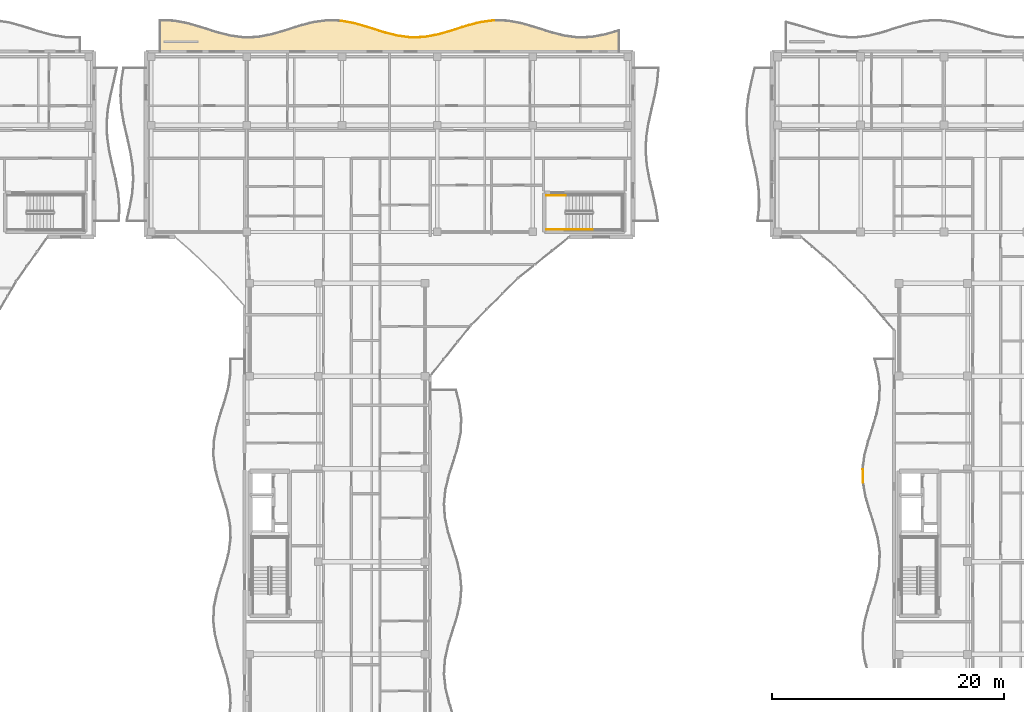
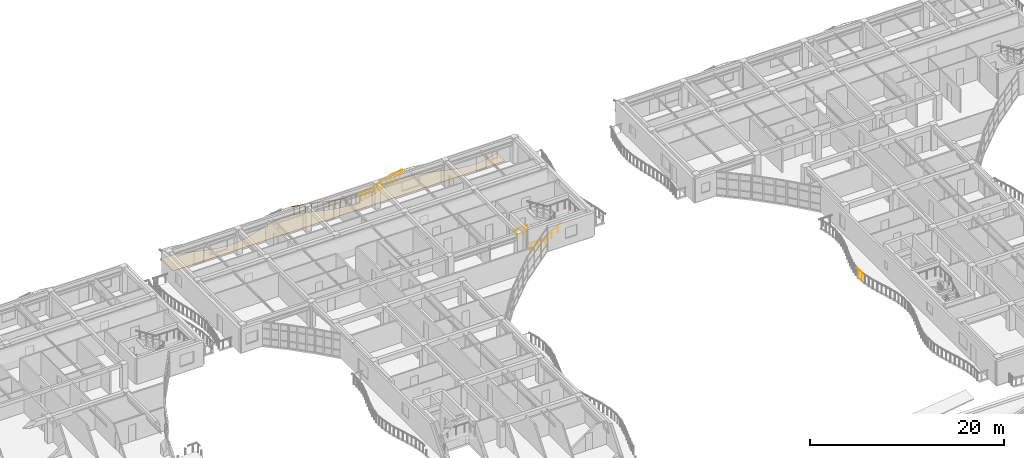
# One storey, part 116 of 128: 15 railings, 1 covering.
"""IFC4 building model written with IfcOpenShell, lengths in metres."""

from ifc_helpers import new_model, si_unit, direction, frame, origin, origin_2d, place, context, subcontext, project, spatial, polyline, circle, outline, extrude, material, layer, layer_set, type_object, element, save


model = new_model("IFC4")

# Units and contexts
model_context = context("Model", 3, precision=1e-05, world=origin(), true_north=direction((0.0, 1.0)))
body_context = subcontext(model_context, "Body", "Model", "MODEL_VIEW")
ifc_project = project(units=[si_unit("LENGTHUNIT", "METRE"), si_unit("AREAUNIT", "SQUARE_METRE"), si_unit("VOLUMEUNIT", "CUBIC_METRE"), si_unit("PLANEANGLEUNIT", "RADIAN"), si_unit("MASSUNIT", "GRAM", prefix="KILO")], contexts=[model_context])

# Site, building, storey
site_placement = place(None, origin())
site = spatial("IfcSite", under=ifc_project, at=site_placement, CompositionType="ELEMENT")
building_placement = place(site_placement, origin())
building = spatial("IfcBuilding", under=site, at=building_placement, Name="Keldmere Railside Commons", CompositionType="ELEMENT")
storey_placement = place(building_placement, frame((0.0, 0.0, 4.159912109375)))
storey = spatial("IfcBuildingStorey", under=building, at=storey_placement, Name="L01", CompositionType="ELEMENT", Elevation=4.159912109375)

# Railings
ifc_material_1 = material(Name="Steel F-24 (S235)", Category="steel")
railing_type_1 = type_object("IfcRailingType", Name="Balcony & Terrace Steel Balustrade 1100", PredefinedType="BALUSTRADE", material=ifc_material_1)
railing_1_placement = place(storey_placement, frame((56.300048828125, 118.65380859375, 0.0)))
element("IfcRailing", 1, at=railing_1_placement, inside=storey, type_object=railing_type_1, Name="GR-1 GRD-L01-0804", PredefinedType="BALUSTRADE", context=body_context, shape_type="SweptSolid", body=[
    extrude(circle(Radius=0.02392578125, at=origin_2d()), frame((0.0, 0.0, 1.076171875), z_axis=(0.983037080858, -0.183406918239, 0.0), x_axis=(0.183406918239, 0.983037080858, 0.0)), (0.0, 0.0, 1.0), 1.220703125),
    extrude(circle(Radius=0.02099609375, at=origin_2d()), frame((0.300048828125, -0.055908203125, 0.0)), (0.0, 0.0, 1.0), 1.048095703125),
    extrude(circle(Radius=0.02099609375, at=origin_2d()), frame((0.89990234375, -0.16796875, 0.0)), (0.0, 0.0, 1.0), 1.048095703125),
])
railing_2_placement = place(storey_placement, frame((57.5, 118.429931640625, 0.0)))
element("IfcRailing", 2, at=railing_2_placement, inside=storey, type_object=railing_type_1, Name="GR-1 GRD-L01-0805", PredefinedType="BALUSTRADE", context=body_context, shape_type="SweptSolid", body=[
    extrude(circle(Radius=0.02392578125, at=origin_2d()), frame((0.0, 0.0, 1.076171875), z_axis=(0.959449386321, -0.281880959074, 0.0), x_axis=(0.281880959074, 0.959449386321, 0.0)), (0.0, 0.0, 1.0), 1.250732421875),
    extrude(circle(Radius=0.02099609375, at=origin_2d()), frame((0.300048828125, -0.088134765625, 0.0)), (0.0, 0.0, 1.0), 1.048095703125),
    extrude(circle(Radius=0.02099609375, at=origin_2d()), frame((0.89990234375, -0.264404296875, 0.0)), (0.0, 0.0, 1.0), 1.048095703125),
])
railing_3_placement = place(storey_placement, frame((58.699951171875, 118.077392578125, 0.0)))
element("IfcRailing", 3, at=railing_3_placement, inside=storey, type_object=railing_type_1, Name="GR-1 GRD-L01-0806", PredefinedType="BALUSTRADE", context=body_context, shape_type="SweptSolid", body=[
    extrude(circle(Radius=0.02392578125, at=origin_2d()), frame((0.0, 0.0, 1.076171875), z_axis=(0.951849064488, -0.30656705373, 0.0), x_axis=(0.30656705373, 0.951849064488, 0.0)), (0.0, 0.0, 1.0), 1.2607421875),
    extrude(circle(Radius=0.02099609375, at=origin_2d()), frame((0.300048828125, -0.0966796875, 0.0)), (0.0, 0.0, 1.0), 1.048095703125),
    extrude(circle(Radius=0.02099609375, at=origin_2d()), frame((0.89990234375, -0.289794921875, 0.0)), (0.0, 0.0, 1.0), 1.048095703125),
])
railing_4_placement = place(storey_placement, frame((59.89990234375, 117.69091796875, 0.0)))
element("IfcRailing", 4, at=railing_4_placement, inside=storey, type_object=railing_type_1, Name="GR-1 GRD-L01-0807", PredefinedType="BALUSTRADE", context=body_context, shape_type="SweptSolid", body=[
    extrude(circle(Radius=0.02392578125, at=origin_2d()), frame((0.0, 0.0, 1.076171875), z_axis=(0.966816745037, -0.255470901506, 0.0), x_axis=(0.255470901506, 0.966816745037, 0.0)), (0.0, 0.0, 1.0), 1.241455078125),
    extrude(circle(Radius=0.02099609375, at=origin_2d()), frame((0.300048828125, -0.079345703125, 0.0)), (0.0, 0.0, 1.0), 1.048095703125),
    extrude(circle(Radius=0.02099609375, at=origin_2d()), frame((0.900146484375, -0.23779296875, 0.0)), (0.0, 0.0, 1.0), 1.048095703125),
])
railing_5_placement = place(storey_placement, frame((61.10009765625, 117.373779296875, 0.0)))
element("IfcRailing", 5, at=railing_5_placement, inside=storey, type_object=railing_type_1, Name="GR-1 GRD-L01-0808", PredefinedType="BALUSTRADE", context=body_context, shape_type="SweptSolid", body=[
    extrude(circle(Radius=0.02392578125, at=origin_2d()), frame((0.0, 0.0, 1.076171875), z_axis=(0.990917067819, -0.134474401675, 0.0), x_axis=(0.134474401675, 0.990917067819, 0.0)), (0.0, 0.0, 1.0), 1.2109375),
    extrude(circle(Radius=0.02099609375, at=origin_2d()), frame((0.300048828125, -0.040771484375, 0.0)), (0.0, 0.0, 1.0), 1.048095703125),
    extrude(circle(Radius=0.02099609375, at=origin_2d()), frame((0.89990234375, -0.1220703125, 0.0)), (0.0, 0.0, 1.0), 1.048095703125),
])
railing_6_placement = place(storey_placement, frame((62.300048828125, 117.2109375, 0.0)))
element("IfcRailing", 6, at=railing_6_placement, inside=storey, type_object=railing_type_1, Name="GR-1 GRD-L01-0809", PredefinedType="BALUSTRADE", context=body_context, shape_type="SweptSolid", body=[
    extrude(circle(Radius=0.02392578125, at=origin_2d()), frame((0.0, 0.0, 1.076171875), z_axis=(0.999571087737, 0.029285500841, 0.0), x_axis=(-0.029285500841, 0.999571087737, 0.0)), (0.0, 0.0, 1.0), 1.200439453125),
    extrude(circle(Radius=0.02099609375, at=origin_2d()), frame((0.300048828125, 0.0087890625, 0.0)), (0.0, 0.0, 1.0), 1.048095703125),
    extrude(circle(Radius=0.02099609375, at=origin_2d()), frame((0.89990234375, 0.0263671875, 0.0)), (0.0, 0.0, 1.0), 1.048095703125),
])
railing_7_placement = place(storey_placement, frame((63.5, 117.24609375, 0.0)))
element("IfcRailing", 7, at=railing_7_placement, inside=storey, type_object=railing_type_1, Name="GR-1 GRD-L01-0810", PredefinedType="BALUSTRADE", context=body_context, shape_type="SweptSolid", body=[
    extrude(circle(Radius=0.02392578125, at=origin_2d()), frame((0.0, 0.0, 1.076171875), z_axis=(0.983001002662, 0.183600187272, 0.0), x_axis=(-0.183600187272, 0.983001002662, 0.0)), (0.0, 0.0, 1.0), 1.220703125),
    extrude(circle(Radius=0.02099609375, at=origin_2d()), frame((0.300048828125, 0.05615234375, 0.0)), (0.0, 0.0, 1.0), 1.048095703125),
    extrude(circle(Radius=0.02099609375, at=origin_2d()), frame((0.89990234375, 0.16796875, 0.0)), (0.0, 0.0, 1.0), 1.048095703125),
])
railing_8_placement = place(storey_placement, frame((64.699951171875, 117.47021484375, 0.0)))
element("IfcRailing", 8, at=railing_8_placement, inside=storey, type_object=railing_type_1, Name="GR-1 GRD-L01-0811", PredefinedType="BALUSTRADE", context=body_context, shape_type="SweptSolid", body=[
    extrude(circle(Radius=0.02392578125, at=origin_2d()), frame((0.0, 0.0, 1.076171875), z_axis=(0.959502166613, 0.281701246475, 0.0), x_axis=(-0.281701246475, 0.959502166613, 0.0)), (0.0, 0.0, 1.0), 1.25048828125),
    extrude(circle(Radius=0.02099609375, at=origin_2d()), frame((0.300048828125, 0.088134765625, 0.0)), (0.0, 0.0, 1.0), 1.048095703125),
    extrude(circle(Radius=0.02099609375, at=origin_2d()), frame((0.89990234375, 0.26416015625, 0.0)), (0.0, 0.0, 1.0), 1.048095703125),
])
railing_9_placement = place(storey_placement, frame((65.89990234375, 117.822509765625, 0.0)))
element("IfcRailing", 9, at=railing_9_placement, inside=storey, type_object=railing_type_1, Name="GR-1 GRD-L01-0812", PredefinedType="BALUSTRADE", context=body_context, shape_type="SweptSolid", body=[
    extrude(circle(Radius=0.02392578125, at=origin_2d()), frame((0.0, 0.0, 1.076171875), z_axis=(0.951867260468, 0.306510551937, 0.0), x_axis=(-0.306510551937, 0.951867260468, 0.0)), (0.0, 0.0, 1.0), 1.260986328125),
    extrude(circle(Radius=0.02099609375, at=origin_2d()), frame((0.300048828125, 0.0966796875, 0.0)), (0.0, 0.0, 1.0), 1.048095703125),
    extrude(circle(Radius=0.02099609375, at=origin_2d()), frame((0.900146484375, 0.289794921875, 0.0)), (0.0, 0.0, 1.0), 1.048095703125),
])
railing_10_placement = place(storey_placement, frame((67.10009765625, 118.208984375, 0.0)))
element("IfcRailing", 10, at=railing_10_placement, inside=storey, type_object=railing_type_1, Name="GR-1 GRD-L01-0813", PredefinedType="BALUSTRADE", context=body_context, shape_type="SweptSolid", body=[
    extrude(circle(Radius=0.02392578125, at=origin_2d()), frame((0.0, 0.0, 1.076171875), z_axis=(0.966755297366, 0.255703333993, 0.0), x_axis=(-0.255703333993, 0.966755297366, 0.0)), (0.0, 0.0, 1.0), 1.2412109375),
    extrude(circle(Radius=0.02099609375, at=origin_2d()), frame((0.300048828125, 0.079345703125, 0.0)), (0.0, 0.0, 1.0), 1.048095703125),
    extrude(circle(Radius=0.02099609375, at=origin_2d()), frame((0.89990234375, 0.238037109375, 0.0)), (0.0, 0.0, 1.0), 1.048095703125),
])
railing_11_placement = place(storey_placement, frame((68.300048828125, 118.5263671875, 0.0)))
element("IfcRailing", 11, at=railing_11_placement, inside=storey, type_object=railing_type_1, Name="GR-1 GRD-L01-0814", PredefinedType="BALUSTRADE", context=body_context, shape_type="SweptSolid", body=[
    extrude(circle(Radius=0.02392578125, at=origin_2d()), frame((0.0, 0.0, 1.076171875), z_axis=(0.990917067819, 0.134474401675, 0.0), x_axis=(-0.134474401675, 0.990917067819, 0.0)), (0.0, 0.0, 1.0), 1.2109375),
    extrude(circle(Radius=0.02099609375, at=origin_2d()), frame((0.300048828125, 0.040771484375, 0.0)), (0.0, 0.0, 1.0), 1.048095703125),
    extrude(circle(Radius=0.02099609375, at=origin_2d()), frame((0.89990234375, 0.1220703125, 0.0)), (0.0, 0.0, 1.0), 1.048095703125),
])
railing_12_placement = place(storey_placement, frame((101.345458984375, 78.800048828125, 0.0)))
element("IfcRailing", 12, at=railing_12_placement, inside=storey, type_object=railing_type_1, Name="GR-1 GRD-L01-1926", PredefinedType="BALUSTRADE", context=body_context, shape_type="SweptSolid", body=[
    extrude(circle(Radius=0.02392578125, at=origin_2d()), frame((0.0, 0.0, 1.076171875), z_axis=(-0.029145723735, 0.999575173155, 0.0), x_axis=(-0.999575173155, -0.029145723735, 0.0)), (0.0, 0.0, 1.0), 1.189453125),
    extrude(circle(Radius=0.02099609375, at=origin_2d()), frame((-0.0087890625, 0.29736328125, 0.0)), (0.0, 0.0, 1.0), 1.048095703125),
    extrude(circle(Radius=0.02099609375, at=origin_2d()), frame((-0.02587890625, 0.8916015625, 0.0)), (0.0, 0.0, 1.0), 1.048095703125),
])
railing_type_2 = type_object("IfcRailingType", Name="Stair Well Steel Guardrail 1100", PredefinedType="BALUSTRADE", material=ifc_material_1)
for number, where, name in (
    (13, (74.0, 100.64990234375, 0.0), "L01 ST-C2 stair guard 8"),
    (14, (74.0, 103.60009765625, 0.0), "L01 ST-C2 stair guard 9"),
):
    element("IfcRailing", number, at=place(storey_placement, frame(where)), inside=storey, type_object=railing_type_2, Name=name, PredefinedType="BALUSTRADE", context=body_context, shape_type="SweptSolid", body=[
        extrude(circle(Radius=0.02392578125, at=origin_2d()), frame((0.0, 0.0, 1.076171875), z_axis=(1.0, 0.0, 0.0), x_axis=(0.0, 1.0, 0.0)), (0.0, 0.0, 1.0), 1.699951171875),
        extrude(circle(Radius=0.02099609375, at=origin_2d()), frame((0.425048828125, 0.0, 0.0)), (0.0, 0.0, 1.0), 1.048095703125),
        extrude(circle(Radius=0.02099609375, at=origin_2d()), frame((1.27490234375, 0.0, 0.0)), (0.0, 0.0, 1.0), 1.048095703125),
    ])
railing_type_3 = type_object("IfcRailingType", Name="Wall-Mounted Tubular Steel Handrail 900", PredefinedType="HANDRAIL", material=ifc_material_1)
railing_13_placement = place(storey_placement, frame((75.699951171875, 100.64990234375, 0.177978515625)))
element("IfcRailing", 15, at=railing_13_placement, inside=storey, type_object=railing_type_3, Name="L01 ST-C2 stair handrail 1", PredefinedType="HANDRAIL", context=body_context, shape_type="SweptSolid", body=[
    extrude(circle(Radius=0.02392578125, at=origin_2d()), frame((0.0, 0.0, 0.8759765625), z_axis=(0.852578041948, 0.0, 0.522599925744), x_axis=(0.0, 1.0, 0.0)), (0.0, 0.0, 1.0), 2.72119140625),
    extrude(circle(Radius=0.02099609375, at=origin_2d()), frame((0.38671875, 0.0, 0.237060546875)), (0.0, 0.0, 1.0), 0.847900390625),
    extrude(circle(Radius=0.02099609375, at=origin_2d()), frame((1.16015625, 0.0, 0.7109375)), (0.0, 0.0, 1.0), 0.847900390625),
    extrude(circle(Radius=0.02099609375, at=origin_2d()), frame((1.933349609375, 0.0, 1.18505859375)), (0.0, 0.0, 1.0), 0.847900390625),
])

# Covering
ifc_material_2 = material(Name="White Precast Concrete C35/45", Category="concrete")
ifc_layer = layer(ifc_material_2, 0.044921875, Name="White Architectural Balcony Ribbon Cladding 45")
ifc_layer_set = layer_set([ifc_layer], Name="White Precast Concrete C35/45")
covering_type = type_object("IfcCoveringType", Name="White Architectural Balcony Ribbon Cladding 45", PredefinedType="FLOORING", material=ifc_layer_set)
covering_placement = place(storey_placement, origin())
element("IfcCovering", 16, at=covering_placement, inside=storey, type_object=covering_type, Name="CLG-WB C L01 N White Balcony Ribbon", PredefinedType="FLOORING", context=body_context, shape_type="SweptSolid", body=[
    extrude(outline(polyline([(80.260009765625, 116.0400390625), (80.260009765625, 117.76904296875), (79.111328125, 117.431640625), (79.107421875, 117.430908203125), (77.9072265625, 117.206787109375), (77.904296875, 117.206298828125), (77.901123046875, 117.206298828125), (76.701171875, 117.1708984375), (76.697998046875, 117.1708984375), (76.694580078125, 117.17138671875), (75.49462890625, 117.333984375), (75.48974609375, 117.3349609375), (74.289794921875, 117.652099609375), (74.28759765625, 117.65283203125), (73.088134765625, 118.039306640625), (71.890625, 118.39111328125), (70.69580078125, 118.614013671875), (69.502197265625, 118.64892578125), (68.307861328125, 118.487060546875), (67.111328125, 118.170654296875), (65.912353515625, 117.784423828125), (65.911376953125, 117.7841796875), (64.711181640625, 117.431640625), (64.707275390625, 117.430908203125), (63.50732421875, 117.206787109375), (63.50439453125, 117.206298828125), (63.501220703125, 117.206298828125), (62.30126953125, 117.1708984375), (62.2978515625, 117.1708984375), (62.294677734375, 117.17138671875), (61.094482421875, 117.333984375), (61.08984375, 117.3349609375), (59.889892578125, 117.652099609375), (59.8876953125, 117.65283203125), (58.688232421875, 118.039306640625), (57.49072265625, 118.39111328125), (56.295654296875, 118.614013671875), (55.10205078125, 118.64892578125), (53.90771484375, 118.487060546875), (52.711181640625, 118.170654296875), (51.51220703125, 117.784423828125), (51.51123046875, 117.7841796875), (50.311279296875, 117.431640625), (50.307373046875, 117.430908203125), (49.107421875, 117.206787109375), (49.104248046875, 117.206298828125), (49.101318359375, 117.206298828125), (47.901123046875, 117.1708984375), (47.89794921875, 117.1708984375), (47.89453125, 117.17138671875), (46.694580078125, 117.333984375), (46.689697265625, 117.3349609375), (45.48974609375, 117.652099609375), (45.48779296875, 117.65283203125), (44.2880859375, 118.039306640625), (43.0908203125, 118.39111328125), (41.895751953125, 118.614013671875), (40.739990234375, 118.64794921875), (40.739990234375, 116.0400390625), (80.260009765625, 116.0400390625)])), origin(), (0.0, 0.0, 1.0), 0.045166015625),
])

save(model, "model.ifc")
